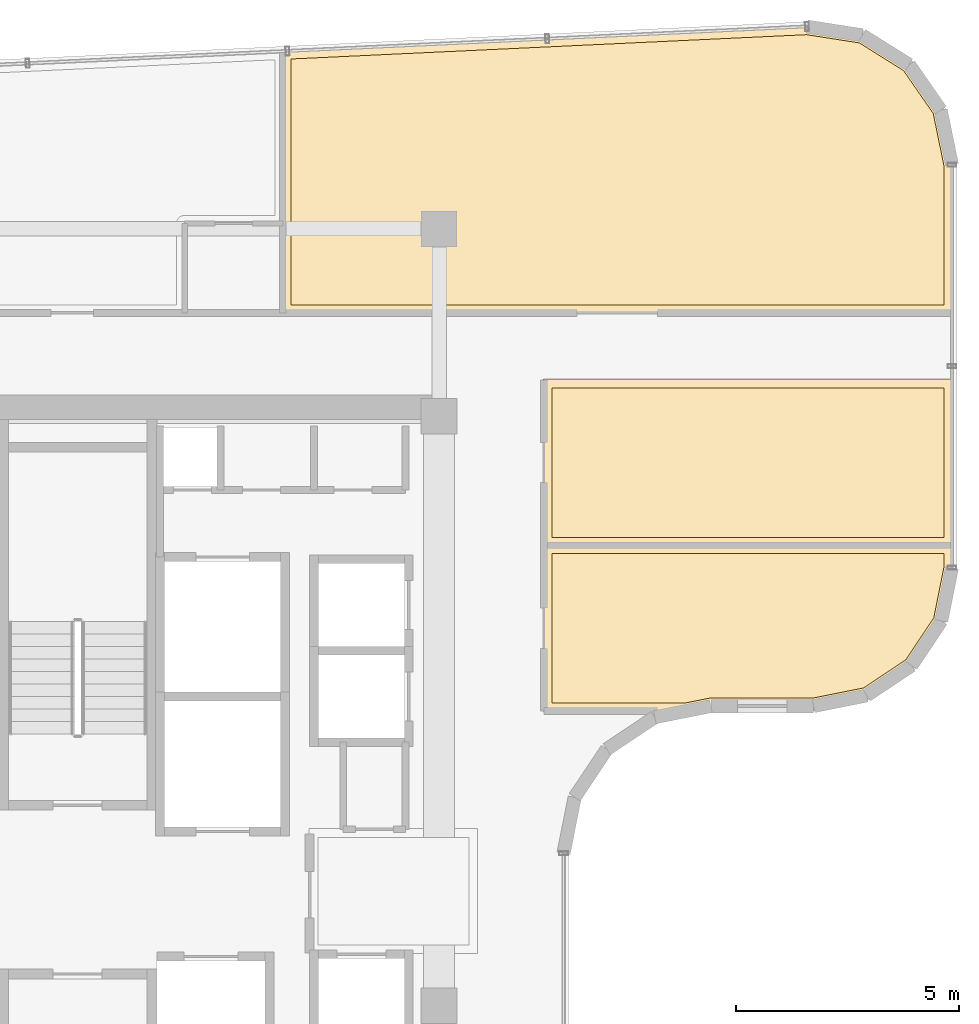
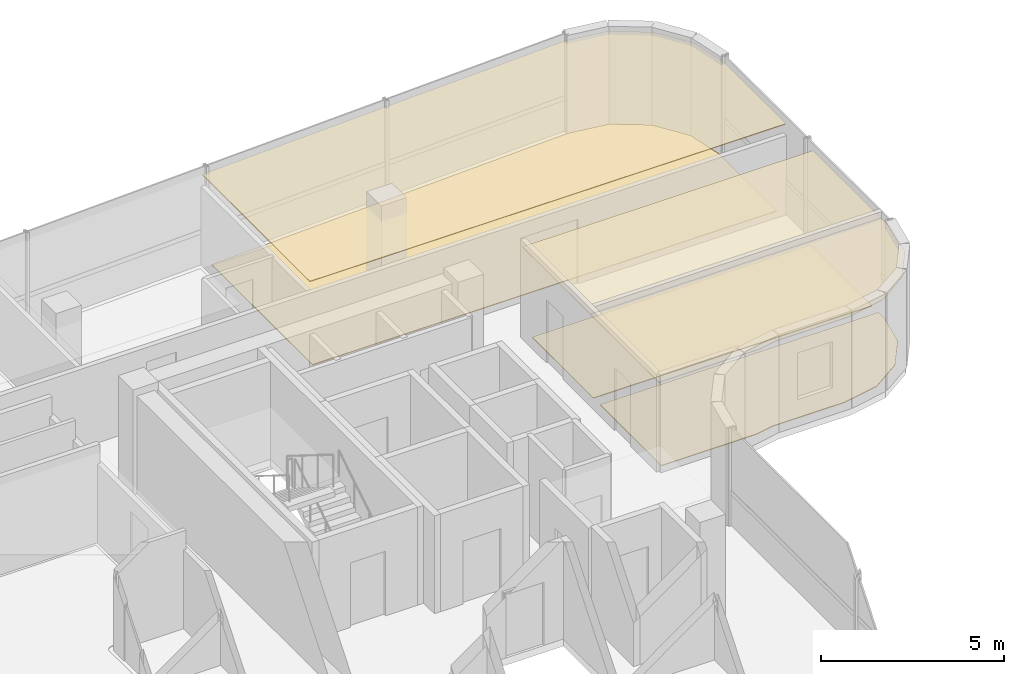
# One storey, part 20 of 20: 6 coverings.
"""IFC4 building model written with IfcOpenShell, lengths in metres."""

from ifc_helpers import new_model, si_unit, direction, frame, origin, place, context, subcontext, project, spatial, polyline, outline, extrude, material, layer, layer_set, type_object, element, save


model = new_model("IFC4")

# Units and contexts
model_context = context("Model", 3, precision=1e-05, world=origin(), true_north=direction((0.0, 1.0)))
body_context = subcontext(model_context, "Body", "Model", "MODEL_VIEW")
ifc_project = project(units=[si_unit("LENGTHUNIT", "METRE"), si_unit("AREAUNIT", "SQUARE_METRE"), si_unit("VOLUMEUNIT", "CUBIC_METRE"), si_unit("PLANEANGLEUNIT", "RADIAN"), si_unit("MASSUNIT", "GRAM", prefix="KILO")], contexts=[model_context])

# Site, building, storey
site_placement = place(None, origin())
site = spatial("IfcSite", under=ifc_project, at=site_placement, CompositionType="ELEMENT")
building_placement = place(site_placement, origin())
building = spatial("IfcBuilding", under=site, at=building_placement, Name="Valdorenza Pilgrim Sanctuary Tower", CompositionType="ELEMENT")
storey_placement = place(building_placement, frame((0.0, 0.0, 280.0)))
storey = spatial("IfcBuildingStorey", under=building, at=storey_placement, Name="L73", CompositionType="ELEMENT", Elevation=280.0)

# Coverings
ifc_material_1 = material(Name="Micro-perforated acoustic mineral ceiling tile", Category="gypsum")
ifc_layer_1 = layer(ifc_material_1, 0.02490234375, Name="Micro-perforated acoustic mineral ceiling tile")
ifc_layer_set_1 = layer_set([ifc_layer_1], Name="Micro-perforated acoustic mineral ceiling tile")
covering_type_1 = type_object("IfcCoveringType", Name="COV-CLG-ACU", PredefinedType="CEILING", material=ifc_layer_set_1)
covering_1_placement = place(storey_placement, frame((0.0, 0.0, 2.9599609375)))
element("IfcCovering", 1, at=covering_1_placement, inside=storey, type_object=covering_type_1, Name="L73 Sacred Archive Reading Library L73-N2 Acoustic Ceiling", PredefinedType="CEILING", context=body_context, shape_type="SweptSolid", body=[
    extrude(outline(polyline([(-15.9130859375, 14.918212890625), (-15.9130859375, 14.9189453125), (-15.913330078125, 14.92041015625), (-15.9130859375, 14.922119140625), (-15.9130859375, 14.923583984375), (-15.9130859375, 14.923828125), (-15.9130859375, 18.778076171875), (-15.9130859375, 18.778076171875), (-15.9130859375, 18.77880859375), (-15.912841796875, 18.780517578125), (-15.91259765625, 18.78173828125), (-15.912109375, 18.783203125), (-15.91162109375, 18.78466796875), (-15.910888671875, 18.785888671875), (-15.91015625, 18.787109375), (-15.9091796875, 18.788330078125), (-15.908203125, 18.789306640625), (-15.906982421875, 18.790283203125), (-15.90576171875, 18.791015625), (-15.904296875, 18.791748046875), (-15.903076171875, 18.792236328125), (-15.901611328125, 18.792724609375), (-15.900146484375, 18.79296875), (-15.898681640625, 18.793212890625), (-4.157470703125, 19.3466796875), (-4.156005859375, 19.3466796875), (-4.154296875, 19.346435546875), (-2.91748046875, 19.153076171875), (-2.916015625, 19.152587890625), (-2.91455078125, 19.15234375), (-2.9130859375, 19.151611328125), (-2.911865234375, 19.15087890625), (-1.860595703125, 18.492431640625), (-1.859619140625, 18.49169921875), (-1.8583984375, 18.490478515625), (-1.857421875, 18.489501953125), (-1.8564453125, 18.48828125), (-1.149169921875, 17.46923828125), (-1.148193359375, 17.468017578125), (-1.147705078125, 17.466552734375), (-1.147216796875, 17.465087890625), (-1.146728515625, 17.463623046875), (-0.895263671875, 16.237548828125), (-0.89501953125, 16.236083984375), (-0.89501953125, 16.234375), (-0.89501953125, 12.919921875), (-0.89501953125, 12.91845703125), (-0.895263671875, 12.9169921875), (-0.8955078125, 12.91552734375), (-0.89599609375, 12.914306640625), (-0.896728515625, 12.912841796875), (-0.8974609375, 12.91162109375), (-0.8984375, 12.910400390625), (-0.8994140625, 12.909423828125), (-0.900390625, 12.908447265625), (-0.901611328125, 12.907470703125), (-0.90283203125, 12.90673828125), (-0.904296875, 12.906005859375), (-0.905517578125, 12.905517578125), (-0.906982421875, 12.9052734375), (-0.908447265625, 12.905029296875), (-0.909912109375, 12.905029296875), (-15.89794921875, 12.905029296875), (-15.8994140625, 12.905029296875), (-15.90087890625, 12.9052734375), (-15.90234375, 12.905517578125), (-15.90380859375, 12.906005859375), (-15.905029296875, 12.90673828125), (-15.90625, 12.907470703125), (-15.907470703125, 12.908447265625), (-15.90869140625, 12.909423828125), (-15.90966796875, 12.910400390625), (-15.910400390625, 12.91162109375), (-15.9111328125, 12.912841796875), (-15.911865234375, 12.914306640625), (-15.912353515625, 12.91552734375), (-15.91259765625, 12.9169921875), (-15.912841796875, 12.91845703125), (-15.9130859375, 12.919921875), (-15.9130859375, 14.918212890625)])), origin(), (0.0, 0.0, 1.0), 0.025146484375),
])
covering_2_placement = place(storey_placement, frame((0.0, 0.0, 2.9599609375)))
element("IfcCovering", 2, at=covering_2_placement, inside=storey, type_object=covering_type_1, Name="L73 Sacred Art Exhibition Gallery L73-E1 Acoustic Ceiling", PredefinedType="CEILING", context=body_context, shape_type="SweptSolid", body=[
    extrude(outline(polyline([(-10.06494140625, 7.7099609375), (-10.06494140625, 7.71142578125), (-10.064697265625, 7.712890625), (-10.064453125, 7.71435546875), (-10.06396484375, 7.7158203125), (-10.063232421875, 7.717041015625), (-10.0625, 7.71826171875), (-10.0615234375, 7.719482421875), (-10.060546875, 7.720703125), (-10.0595703125, 7.7216796875), (-10.058349609375, 7.722412109375), (-10.05712890625, 7.72314453125), (-10.0556640625, 7.723876953125), (-10.054443359375, 7.724365234375), (-10.052978515625, 7.724609375), (-10.051513671875, 7.724853515625), (-10.050048828125, 7.72509765625), (-0.909912109375, 7.72509765625), (-0.908447265625, 7.724853515625), (-0.906982421875, 7.724609375), (-0.905517578125, 7.724365234375), (-0.904296875, 7.723876953125), (-0.90283203125, 7.72314453125), (-0.901611328125, 7.722412109375), (-0.900390625, 7.7216796875), (-0.8994140625, 7.720703125), (-0.8984375, 7.719482421875), (-0.8974609375, 7.71826171875), (-0.896728515625, 7.717041015625), (-0.89599609375, 7.7158203125), (-0.8955078125, 7.71435546875), (-0.895263671875, 7.712890625), (-0.89501953125, 7.71142578125), (-0.89501953125, 7.7099609375), (-0.89501953125, 7.210693359375), (-0.89501953125, 7.20947265625), (-0.895263671875, 7.2080078125), (-1.132568359375, 6.015380859375), (-1.1328125, 6.013916015625), (-1.13330078125, 6.0126953125), (-1.134033203125, 6.01123046875), (-1.134765625, 6.010009765625), (-1.80419921875, 5.00830078125), (-1.804931640625, 5.007080078125), (-1.805908203125, 5.006103515625), (-1.80712890625, 5.0048828125), (-1.808349609375, 5.004150390625), (-2.81005859375, 4.334716796875), (-2.811279296875, 4.333984375), (-2.8125, 4.33349609375), (-2.81396484375, 4.3330078125), (-2.8154296875, 4.33251953125), (-4.0078125, 4.09521484375), (-4.009521484375, 4.09521484375), (-4.0107421875, 4.094970703125), (-6.299560546875, 4.094970703125), (-6.309326171875, 4.094482421875), (-6.31884765625, 4.093017578125), (-6.86083984375, 3.9853515625), (-6.8623046875, 3.985107421875), (-6.86376953125, 3.985107421875), (-10.050048828125, 3.985107421875), (-10.051513671875, 3.985107421875), (-10.052978515625, 3.9853515625), (-10.054443359375, 3.985595703125), (-10.0556640625, 3.986083984375), (-10.05712890625, 3.98681640625), (-10.058349609375, 3.987548828125), (-10.0595703125, 3.98828125), (-10.060546875, 3.989501953125), (-10.0615234375, 3.990478515625), (-10.0625, 3.99169921875), (-10.063232421875, 3.992919921875), (-10.06396484375, 3.994384765625), (-10.064453125, 3.99560546875), (-10.064697265625, 3.9970703125), (-10.06494140625, 3.99853515625), (-10.06494140625, 4.0), (-10.06494140625, 7.7099609375)])), origin(), (0.0, 0.0, 1.0), 0.025146484375),
])
covering_3_placement = place(storey_placement, frame((0.0, 0.0, 2.9599609375)))
element("IfcCovering", 3, at=covering_3_placement, inside=storey, type_object=covering_type_1, Name="L73 Sacred Art Exhibition Gallery L73-E2 Acoustic Ceiling", PredefinedType="CEILING", context=body_context, shape_type="SweptSolid", body=[
    extrude(outline(polyline([(-10.06494140625, 11.419921875), (-10.06494140625, 11.42138671875), (-10.064697265625, 11.4228515625), (-10.064453125, 11.42431640625), (-10.06396484375, 11.42578125), (-10.063232421875, 11.427001953125), (-10.0625, 11.42822265625), (-10.0615234375, 11.429443359375), (-10.060546875, 11.4306640625), (-10.0595703125, 11.431640625), (-10.058349609375, 11.4326171875), (-10.05712890625, 11.43310546875), (-10.0556640625, 11.433837890625), (-10.054443359375, 11.434326171875), (-10.052978515625, 11.434814453125), (-10.051513671875, 11.434814453125), (-10.050048828125, 11.43505859375), (-0.909912109375, 11.43505859375), (-0.908447265625, 11.434814453125), (-0.906982421875, 11.434814453125), (-0.905517578125, 11.434326171875), (-0.904296875, 11.433837890625), (-0.90283203125, 11.43310546875), (-0.901611328125, 11.4326171875), (-0.900390625, 11.431640625), (-0.8994140625, 11.4306640625), (-0.8984375, 11.429443359375), (-0.8974609375, 11.42822265625), (-0.896728515625, 11.427001953125), (-0.89599609375, 11.42578125), (-0.8955078125, 11.42431640625), (-0.895263671875, 11.4228515625), (-0.89501953125, 11.42138671875), (-0.89501953125, 11.419921875), (-0.89501953125, 7.7119140625), (-0.89501953125, 7.71044921875), (-0.895263671875, 7.708984375), (-0.8955078125, 7.70751953125), (-0.89599609375, 7.706298828125), (-0.896728515625, 7.704833984375), (-0.8974609375, 7.70361328125), (-0.8984375, 7.702392578125), (-0.8994140625, 7.701416015625), (-0.900390625, 7.700439453125), (-0.901611328125, 7.699462890625), (-0.90283203125, 7.69873046875), (-0.904296875, 7.697998046875), (-0.905517578125, 7.697509765625), (-0.906982421875, 7.697265625), (-0.908447265625, 7.697021484375), (-0.909912109375, 7.697021484375), (-10.050048828125, 7.697021484375), (-10.051513671875, 7.697021484375), (-10.052978515625, 7.697265625), (-10.054443359375, 7.697509765625), (-10.0556640625, 7.697998046875), (-10.05712890625, 7.69873046875), (-10.058349609375, 7.699462890625), (-10.0595703125, 7.700439453125), (-10.060546875, 7.701416015625), (-10.0615234375, 7.702392578125), (-10.0625, 7.70361328125), (-10.063232421875, 7.704833984375), (-10.06396484375, 7.706298828125), (-10.064453125, 7.70751953125), (-10.064697265625, 7.708984375), (-10.06494140625, 7.71044921875), (-10.06494140625, 7.7119140625), (-10.06494140625, 11.419921875)])), origin(), (0.0, 0.0, 1.0), 0.025146484375),
])
ifc_material_2 = material(Name="Honed travertine stone flooring", Category="masonry")
ifc_layer_2 = layer(ifc_material_2, 0.030029296875, Name="Honed travertine stone flooring")
ifc_layer_set_2 = layer_set([ifc_layer_2], Name="Honed travertine stone flooring")
covering_type_2 = type_object("IfcCoveringType", Name="COV-FLR-TRV", PredefinedType="FLOORING", material=ifc_layer_set_2)
covering_4_placement = place(storey_placement, origin())
element("IfcCovering", 4, at=covering_4_placement, inside=storey, type_object=covering_type_2, Name="L73 Sacred Archive Reading Library L73-N2 Flooring", PredefinedType="FLOORING", context=body_context, shape_type="SweptSolid", body=[
    extrude(outline(polyline([(-15.718017578125, 14.921630859375), (-15.718017578125, 14.922119140625), (-15.718017578125, 18.6064453125), (-4.16650390625, 19.15087890625), (-2.984130859375, 18.966064453125), (-1.99560546875, 18.3466796875), (-1.330322265625, 17.388427734375), (-1.090087890625, 16.21630859375), (-1.090087890625, 13.10009765625), (-15.718017578125, 13.10009765625), (-15.718017578125, 14.919921875), (-15.718017578125, 14.9208984375), (-15.718017578125, 14.921630859375)])), origin(), (0.0, 0.0, 1.0), 0.02490234375),
])
covering_5_placement = place(storey_placement, origin())
element("IfcCovering", 5, at=covering_5_placement, inside=storey, type_object=covering_type_2, Name="L73 Sacred Art Exhibition Gallery L73-E1 Flooring", PredefinedType="FLOORING", context=body_context, shape_type="SweptSolid", body=[
    extrude(outline(polyline([(-9.8701171875, 7.530029296875), (-1.090087890625, 7.530029296875), (-1.090087890625, 7.228515625), (-1.31689453125, 6.088623046875), (-1.9462890625, 5.146484375), (-2.888671875, 4.516845703125), (-4.028564453125, 4.2900390625), (-6.300048828125, 4.2900390625), (-6.308837890625, 4.289794921875), (-6.319580078125, 4.289306640625), (-6.337158203125, 4.28759765625), (-6.347900390625, 4.285888671875), (-6.356689453125, 4.284423828125), (-6.881591796875, 4.179931640625), (-9.8701171875, 4.179931640625), (-9.8701171875, 7.530029296875)])), origin(), (0.0, 0.0, 1.0), 0.02490234375),
])
covering_6_placement = place(storey_placement, origin())
element("IfcCovering", 6, at=covering_6_placement, inside=storey, type_object=covering_type_2, Name="L73 Sacred Art Exhibition Gallery L73-E2 Flooring", PredefinedType="FLOORING", context=body_context, shape_type="SweptSolid", body=[
    extrude(outline(polyline([(-9.8701171875, 11.239990234375), (-1.090087890625, 11.239990234375), (-1.090087890625, 7.89208984375), (-9.8701171875, 7.89208984375), (-9.8701171875, 11.239990234375)])), origin(), (0.0, 0.0, 1.0), 0.02490234375),
])

save(model, "model.ifc")
